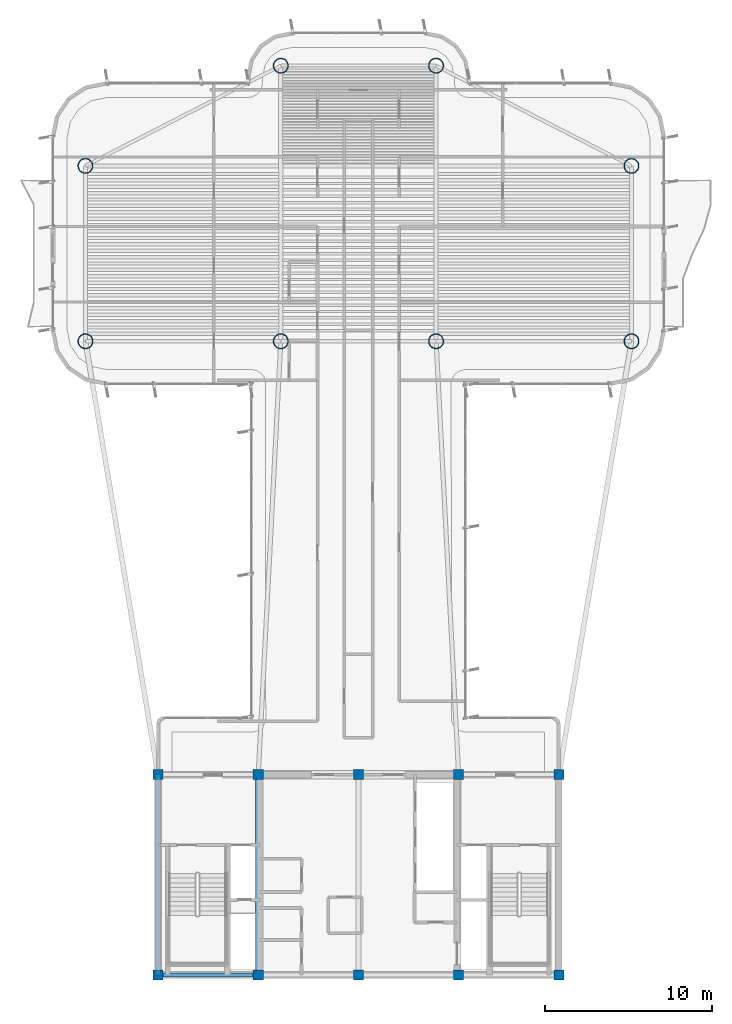
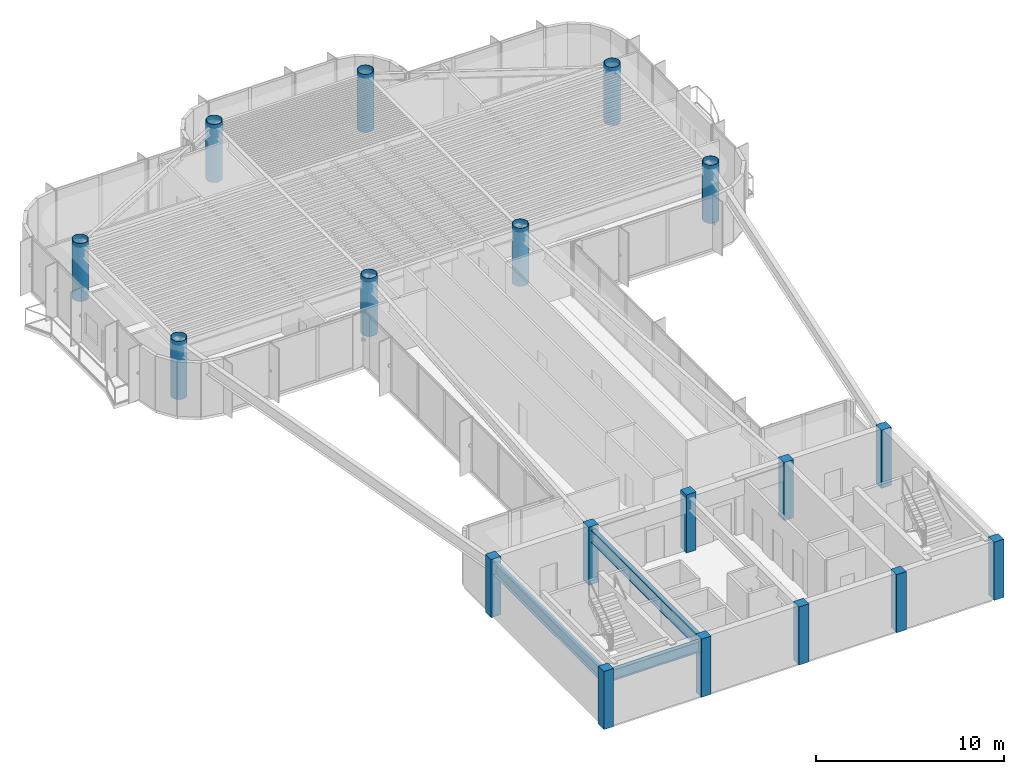
# One storey, part 1 of 15: 18 columns, 3 beams.
"""IFC4 building model written with IfcOpenShell, lengths in metres."""

import ifcopenshell
import ifcopenshell.guid

model = None  # the IFC model being written
_history = None  # IfcOwnerHistory: only IFC2X3 demands one
_inside = {}  # id of a spatial element -> (the spatial element, [elements in it])
_under = {}  # id of a project, library or spatial element -> (it, [spatial elements below it])
_declared = {}  # id of a project -> (the project, [libraries it declares])
_typed = {}  # id of a type object -> (the type object, [elements of that type])
_made_of = {}  # id of a material, layer set ... -> (it, [elements and type objects made of it])


def new_model(schema):
    """Start an empty IFC model of exactly this schema.

    Asked for "IFC4X3", IfcOpenShell would pick the latest addendum, in which some entities
    have other attributes; the version numbers below select the first issue.
    IFC2X3 requires an IfcOwnerHistory on every rooted entity: one is made here for all.
    """
    global model, _history
    if schema == "IFC4X3":
        model = ifcopenshell.file(schema_version=(4, 3, 0, 0))
    else:
        model = ifcopenshell.file(schema=schema)
    _inside.clear()
    _under.clear()
    _declared.clear()
    _typed.clear()
    _made_of.clear()
    _history = None
    if model.schema == "IFC2X3":
        org = make("IfcOrganization", Name="unknown")
        user = make(
            "IfcPersonAndOrganization",
            ThePerson=make("IfcPerson", FamilyName="unknown"),
            TheOrganization=org,
        )
        app = make(
            "IfcApplication",
            ApplicationDeveloper=org,
            Version="unknown",
            ApplicationFullName="unknown",
            ApplicationIdentifier="unknown",
        )
        _history = make(
            "IfcOwnerHistory",
            OwningUser=user,
            OwningApplication=app,
            ChangeAction="ADDED",
            CreationDate=0,
        )
    return model


def make(cls, **values):
    """One entity of the class cls with the attributes given. An attribute that is None is left unset."""
    return model.create_entity(
        cls, **{name: value for name, value in values.items() if value is not None}
    )


def rooted(cls, **values):
    """An entity with a GlobalId (a new one), such as an element, a storey or a relation."""
    return make(cls, GlobalId=ifcopenshell.guid.new(), OwnerHistory=_history, **values)


def si_unit(unit_type, name, prefix=None):
    """IfcSIUnit, for example si_unit("LENGTHUNIT", "METRE", prefix="MILLI")."""
    return make("IfcSIUnit", UnitType=unit_type, Prefix=prefix, Name=name)


def assignment(units):
    """IfcUnitAssignment: the units of a project."""
    return None if units is None else make("IfcUnitAssignment", Units=units)


def point(xyz):
    """IfcCartesianPoint."""
    return None if xyz is None else make("IfcCartesianPoint", Coordinates=xyz)


def direction(xyz):
    """IfcDirection."""
    return None if xyz is None else make("IfcDirection", DirectionRatios=xyz)


def frame(location, z_axis=None, x_axis=None):
    """IfcAxis2Placement3D, a coordinate frame: its origin and axes. An axis left out is left unset."""
    return make(
        "IfcAxis2Placement3D",
        Location=point(location),
        Axis=direction(z_axis),
        RefDirection=direction(x_axis),
    )


def frame_2d(location, x_axis=None):
    """IfcAxis2Placement2D, a coordinate frame in the plane: its origin and x axis."""
    return make(
        "IfcAxis2Placement2D", Location=point(location), RefDirection=direction(x_axis)
    )


def origin():
    """The frame at (0, 0, 0) with its axes left unset."""
    return frame((0.0, 0.0, 0.0))


def origin_2d():
    """The frame at (0, 0) in the plane with its x axis left unset."""
    return frame_2d((0.0, 0.0))


def place(relative_to, where):
    """IfcLocalPlacement: puts the frame where relative to a parent placement (None: the world)."""
    return make(
        "IfcLocalPlacement", PlacementRelTo=relative_to, RelativePlacement=where
    )


def context(
    kind, dimensions, precision=None, world=None, true_north=None, identifier=None
):
    """IfcGeometricRepresentationContext, for example the 3D "Model" context."""
    return make(
        "IfcGeometricRepresentationContext",
        ContextIdentifier=identifier,
        ContextType=kind,
        CoordinateSpaceDimension=dimensions,
        Precision=precision,
        WorldCoordinateSystem=world,
        TrueNorth=true_north,
    )


def subcontext(parent, identifier, kind, view, scale=None):
    """IfcGeometricRepresentationSubContext, for example "Body" below "Model"."""
    return make(
        "IfcGeometricRepresentationSubContext",
        ContextIdentifier=identifier,
        ContextType=kind,
        ParentContext=parent,
        TargetScale=scale,
        TargetView=view,
    )


def project(units=None, contexts=None):
    """IfcProject with its units and contexts."""
    return rooted(
        "IfcProject",
        Name="project",
        RepresentationContexts=contexts,
        UnitsInContext=assignment(units),
    )


def spatial(cls, under=None, at=None, **own):
    """A site, building, storey or space (cls), placed at a placement, below another one or the project."""
    s = rooted(cls, ObjectPlacement=at, **own)
    if under is not None:
        _under.setdefault(under.id(), (under, []))[1].append(s)
    return s


def profile(cls, at=None, kind="AREA", **sizes):
    """A parametric profile (cls). Its sizes go by their IFC names, for example OverallWidth=200.0."""
    return make(cls, ProfileType=kind, Position=at, **sizes)


def rectangle(**sizes):
    """IfcRectangleProfileDef."""
    return profile("IfcRectangleProfileDef", **sizes)


def hollow_circle(**sizes):
    """IfcCircleHollowProfileDef."""
    return profile("IfcCircleHollowProfileDef", **sizes)


def i_section(**sizes):
    """IfcIShapeProfileDef."""
    return profile("IfcIShapeProfileDef", **sizes)


def extrude(swept, where, along, depth):
    """IfcExtrudedAreaSolid: the profile swept, set in the frame where, extruded along a direction by depth."""
    return make(
        "IfcExtrudedAreaSolid",
        SweptArea=swept,
        Position=where,
        ExtrudedDirection=direction(along),
        Depth=depth,
    )


def shape(context_of_items, identifier, shape_type, items):
    """IfcShapeRepresentation: the items that make up one representation, for example the "Body"."""
    return make(
        "IfcShapeRepresentation",
        ContextOfItems=context_of_items,
        RepresentationIdentifier=identifier,
        RepresentationType=shape_type,
        Items=items,
    )


def source(mapping_origin, context_of_items, identifier, shape_type, items):
    """IfcRepresentationMap: a shape defined once, which mapped items show again and again."""
    return make(
        "IfcRepresentationMap",
        MappingOrigin=mapping_origin,
        MappedRepresentation=shape(context_of_items, identifier, shape_type, items),
    )


def transform(
    local_origin,
    x_axis=None,
    y_axis=None,
    z_axis=None,
    scale=None,
    scale2=None,
    scale3=None,
    uniform=True,
):
    """IfcCartesianTransformationOperator3D, or its non-uniform kind. x_axis, y_axis, z_axis: its Axis1, 2, 3."""
    if uniform:
        return make(
            "IfcCartesianTransformationOperator3D",
            Axis1=direction(x_axis),
            Axis2=direction(y_axis),
            LocalOrigin=point(local_origin),
            Scale=scale,
            Axis3=direction(z_axis),
        )
    return make(
        "IfcCartesianTransformationOperator3DnonUniform",
        Axis1=direction(x_axis),
        Axis2=direction(y_axis),
        LocalOrigin=point(local_origin),
        Scale=scale,
        Axis3=direction(z_axis),
        Scale2=scale2,
        Scale3=scale3,
    )


def mapped(mapping_source, mapping_target):
    """IfcMappedItem: shows the shape of a source again, moved by a transform."""
    return make(
        "IfcMappedItem", MappingSource=mapping_source, MappingTarget=mapping_target
    )


def material(Name=None, Category=None):
    """IfcMaterial."""
    return make("IfcMaterial", Name=Name, Category=Category)


def material_profile(
    of_material, cross_section, Name=None, Category=None, Priority=None
):
    """IfcMaterialProfile: a cross section and its material."""
    return make(
        "IfcMaterialProfile",
        Name=Name,
        Material=of_material,
        Profile=cross_section,
        Priority=Priority,
        Category=Category,
    )


def profile_set(profiles, Name=None, composite=None):
    """IfcMaterialProfileSet."""
    return make(
        "IfcMaterialProfileSet",
        Name=Name,
        MaterialProfiles=profiles,
        CompositeProfile=composite,
    )


def made_of(thing, what):
    """Note that an element or type object is made of a material, layer set ...; save() writes the relation."""
    if what is not None:
        _made_of.setdefault(what.id(), (what, []))[1].append(thing)
    return thing


def type_object(cls, material=None, **own):
    """A type object (cls), such as IfcWallType, which elements share."""
    return made_of(rooted(cls, **own), material)


def element(
    cls,
    number,
    at=None,
    inside=None,
    cuts=None,
    type_object=None,
    material=None,
    context=None,
    identifier="Body",
    shape_type=None,
    held_by="IfcProductDefinitionShape",
    body=None,
    shapes=None,
    **own,
):
    """One element of the class cls, such as IfcWall. Its Tag is "e" and its number.

    at: its placement. inside: the storey or other place that contains it. cuts: it is an
    opening in that element (IfcRelVoidsElement). A single representation is given by context,
    identifier, shape_type and body (its items); several are given by shapes. held_by: the class
    of the entity that holds the representations. save() writes the other relations.
    """
    e = rooted(cls, Tag="e%d" % number, ObjectPlacement=at, **own)
    if body is not None:
        shapes = [shape(context, identifier, shape_type, body)]
    if shapes is not None:
        e.Representation = make(held_by, Representations=shapes)
    if inside is not None:
        _inside.setdefault(inside.id(), (inside, []))[1].append(e)
    if cuts is not None:
        rooted(
            "IfcRelVoidsElement", RelatingBuildingElement=cuts, RelatedOpeningElement=e
        )
    if type_object is not None:
        _typed.setdefault(type_object.id(), (type_object, []))[1].append(e)
    return made_of(e, material)


def aggregate(whole, parts):
    """IfcRelAggregates: a whole, such as a stair, and the parts it consists of."""
    return rooted("IfcRelAggregates", RelatingObject=whole, RelatedObjects=parts)


def save(model, path):
    """Write the relations noted so far, then the file.

    IfcRelAggregates (storeys below a building ...), IfcRelContainedInSpatialStructure (elements
    in a storey), IfcRelDefinesByType, IfcRelAssociatesMaterial and IfcRelDeclares: one each for
    every whole, place, type object, material and project.
    """
    for whole, parts in _under.values():
        aggregate(whole, parts)
    for where, things in _inside.values():
        rooted(
            "IfcRelContainedInSpatialStructure",
            RelatedElements=things,
            RelatingStructure=where,
        )
    for kind, things in _typed.values():
        rooted("IfcRelDefinesByType", RelatedObjects=things, RelatingType=kind)
    for what, things in _made_of.values():
        rooted("IfcRelAssociatesMaterial", RelatedObjects=things, RelatingMaterial=what)
    for by, libraries in _declared.values():
        rooted("IfcRelDeclares", RelatingContext=by, RelatedDefinitions=libraries)
    model.write(path)


model = new_model("IFC4")

# Units and contexts
model_context = context("Model", 3, precision=1e-05, world=origin(), true_north=direction((0.0, 1.0)))
body_context = subcontext(model_context, "Body", "Model", "MODEL_VIEW")
ifc_project = project(units=[si_unit("LENGTHUNIT", "METRE"), si_unit("AREAUNIT", "SQUARE_METRE"), si_unit("VOLUMEUNIT", "CUBIC_METRE"), si_unit("PLANEANGLEUNIT", "RADIAN"), si_unit("MASSUNIT", "GRAM", prefix="KILO")], contexts=[model_context])

# Site, building, storey
site_placement = place(None, origin())
site = spatial("IfcSite", under=ifc_project, at=site_placement, CompositionType="ELEMENT")
building_placement = place(site_placement, origin())
building = spatial("IfcBuilding", under=site, at=building_placement, Name="Brelvock Crest Care Tower", CompositionType="ELEMENT")
storey_placement = place(building_placement, frame((0.0, 0.0, 264.60009765625)))
storey = spatial("IfcBuildingStorey", under=building, at=storey_placement, Name="L67", CompositionType="ELEMENT", Elevation=264.60009765625)

# Columns
ifc_material_1 = material(Name="Concrete S65 (65 MPa)", Category="concrete")
ifc_material_profile_1 = material_profile(ifc_material_1, rectangle(XDim=0.60009765625, YDim=0.60009765625, at=origin_2d()), Name="RC600x600")
ifc_profile_set_1 = profile_set([ifc_material_profile_1], Name="Concrete S65 (65 MPa)")
column_type_1 = type_object("IfcColumnType", Name="COL-RC4", PredefinedType="COLUMN", material=ifc_profile_set_1)
shared_shape_1 = source(origin(), body_context, "Body", "SweptSolid", [
    extrude(rectangle(XDim=0.60009765625, YDim=0.60009765625, at=origin_2d()), origin(), (0.0, 0.0, 1.0), 3.77978515625),
])
for number, where, z_axis, x_axis, name in (
    (1, (24.0, 6.0, 0.0), (0.0, 0.0, 1.0), (1.0, 0.0, 0.0), "L67 Core Column CC-01"),
    (2, (30.0, 6.0, 0.0), (0.0, 0.0, 1.0), (1.0, 0.0, 0.0), "L67 Core Column CC-02"),
    (3, (36.0, 6.0, 0.0), (0.0, 0.0, 1.0), (1.0, 0.0, 0.0), "L67 Core Column CC-03"),
    (4, (42.0, 6.0, 0.0), (0.0, 0.0, 1.0), (1.0, 0.0, 0.0), "L67 Core Column CC-04"),
    (5, (48.0, 6.0, 0.0), (0.0, 0.0, 1.0), (1.0, 0.0, 0.0), "L67 Core Column CC-05"),
    (6, (24.0, 18.0, 0.0), (0.0, 0.0, 1.0), (1.0, 0.0, 0.0), "L67 Core Column CC-06"),
    (7, (30.0, 18.0, 0.0), (0.0, 0.0, 1.0), (1.0, 0.0, 0.0), "L67 Core Column CC-07"),
    (8, (36.0, 18.0, 0.0), (0.0, 0.0, 1.0), (1.0, 0.0, 0.0), "L67 Core Column CC-08"),
    (9, (42.0, 18.0, 0.0), (0.0, 0.0, 1.0), (1.0, 0.0, 0.0), "L67 Core Column CC-09"),
    (10, (48.0, 18.0, 0.0), (0.0, 0.0, 1.0), (1.0, 0.0, 0.0), "L67 Core Column CC-10"),
):
    element("IfcColumn", number, at=place(storey_placement, frame(where, z_axis=z_axis, x_axis=x_axis)), inside=storey, type_object=column_type_1, Name=name, PredefinedType="COLUMN", context=body_context, shape_type="MappedRepresentation", body=[
        mapped(shared_shape_1, transform((0.0, 0.0, 0.0), x_axis=(1.0, 0.0, 0.0), y_axis=(0.0, 1.0, 0.0), z_axis=(0.0, 0.0, 1.0), scale=1.0)),
    ])
ifc_material_2 = material(Name="Steel Grade 350", Category="steel")
ifc_material_profile_2 = material_profile(ifc_material_2, hollow_circle(Radius=0.449951171875, WallThickness=0.031982421875, at=origin_2d()), Name="CFT900x32")
ifc_profile_set_2 = profile_set([ifc_material_profile_2], Name="Steel Grade 350")
column_type_2 = type_object("IfcColumnType", Name="COL-MC4", PredefinedType="COLUMN", material=ifc_profile_set_2)
shared_shape_2 = source(origin(), body_context, "Body", "SweptSolid", [
    extrude(hollow_circle(Radius=0.449951171875, WallThickness=0.031982421875, at=origin_2d()), origin(), (0.0, 0.0, 1.0), 3.77978515625),
])
for number, where, z_axis, x_axis, name in (
    (11, (19.64990234375, 43.949951171875, 0.0), (0.0, 0.0, 1.0), (1.0, 0.0, 0.0), "L67 Tower Column M1"),
    (12, (19.64990234375, 54.449951171875, 0.0), (0.0, 0.0, 1.0), (1.0, 0.0, 0.0), "L67 Tower Column M2"),
    (13, (52.35009765625, 43.949951171875, 0.0), (0.0, 0.0, 1.0), (1.0, 0.0, 0.0), "L67 Tower Column M3"),
    (14, (52.35009765625, 54.449951171875, 0.0), (0.0, 0.0, 1.0), (1.0, 0.0, 0.0), "L67 Tower Column M4"),
    (15, (31.35009765625, 43.949951171875, 0.0), (0.0, 0.0, 1.0), (1.0, 0.0, 0.0), "L67 Tower Column M5"),
    (16, (40.64990234375, 43.949951171875, 0.0), (0.0, 0.0, 1.0), (1.0, 0.0, 0.0), "L67 Tower Column M6"),
    (17, (31.35009765625, 60.449951171875, 0.0), (0.0, 0.0, 1.0), (1.0, 0.0, 0.0), "L67 Tower Column M7"),
    (18, (40.64990234375, 60.449951171875, 0.0), (0.0, 0.0, 1.0), (1.0, 0.0, 0.0), "L67 Tower Column M8"),
):
    element("IfcColumn", number, at=place(storey_placement, frame(where, z_axis=z_axis, x_axis=x_axis)), inside=storey, type_object=column_type_2, Name=name, PredefinedType="COLUMN", context=body_context, shape_type="MappedRepresentation", body=[
        mapped(shared_shape_2, transform((0.0, 0.0, 0.0), x_axis=(1.0, 0.0, 0.0), y_axis=(0.0, 1.0, 0.0), z_axis=(0.0, 0.0, 1.0), scale=1.0)),
    ])

# Beams
ifc_material_profile_3 = material_profile(ifc_material_2, i_section(OverallWidth=0.25, OverallDepth=0.699951171875, WebThickness=0.011962890625, FlangeThickness=0.02001953125, at=origin_2d()), Name="700WB150")
ifc_profile_set_3 = profile_set([ifc_material_profile_3], Name="Steel Grade 350")
beam_type_1 = type_object("IfcBeamType", Name="BM-G4", PredefinedType="BEAM", material=ifc_profile_set_3)
shared_shape_3 = source(origin(), body_context, "Body", "SweptSolid", [
    extrude(i_section(OverallWidth=0.25, OverallDepth=0.699951171875, WebThickness=0.011962890625, FlangeThickness=0.02001953125, at=origin_2d()), origin(), (0.0, 0.0, 1.0), 6.0),
])
beam_placement = place(storey_placement, frame((24.0, 6.0, 3.179931640625), z_axis=(1.0, 0.0, 0.0), x_axis=(0.0, 1.0, 0.0)))
element("IfcBeam", 19, at=beam_placement, inside=storey, type_object=beam_type_1, Name="BM-CORES-L67-1", PredefinedType="BEAM", context=body_context, shape_type="MappedRepresentation", body=[
    mapped(shared_shape_3, transform((0.0, 0.0, 0.0), x_axis=(1.0, 0.0, 0.0), y_axis=(0.0, 1.0, 0.0), z_axis=(0.0, 0.0, 1.0), scale=1.0)),
])
ifc_material_profile_4 = material_profile(ifc_material_2, i_section(OverallWidth=0.300048828125, OverallDepth=0.800048828125, WebThickness=0.013916015625, FlangeThickness=0.02197265625, at=origin_2d()), Name="800WB192")
ifc_profile_set_4 = profile_set([ifc_material_profile_4], Name="Steel Grade 350")
beam_type_2 = type_object("IfcBeamType", Name="BM-G5", PredefinedType="BEAM", material=ifc_profile_set_4)
shared_shape_4 = source(origin(), body_context, "Body", "SweptSolid", [
    extrude(i_section(OverallWidth=0.300048828125, OverallDepth=0.800048828125, WebThickness=0.013916015625, FlangeThickness=0.02197265625, at=origin_2d()), origin(), (0.0, 0.0, 1.0), 12.0),
])
for number, where, z_axis, x_axis, name in (
    (20, (24.0, 6.0, 3.1298828125), (0.0, 1.0, 0.0), (-1.0, 0.0, 0.0), "BM-COREX-L67-1"),
    (21, (30.0, 6.0, 3.1298828125), (0.0, 1.0, 0.0), (-1.0, 0.0, 0.0), "BM-COREX-L67-2"),
):
    element("IfcBeam", number, at=place(storey_placement, frame(where, z_axis=z_axis, x_axis=x_axis)), inside=storey, type_object=beam_type_2, Name=name, PredefinedType="BEAM", context=body_context, shape_type="MappedRepresentation", body=[
        mapped(shared_shape_4, transform((0.0, 0.0, 0.0), x_axis=(1.0, 0.0, 0.0), y_axis=(0.0, 1.0, 0.0), z_axis=(0.0, 0.0, 1.0), scale=1.0)),
    ])

save(model, "model.ifc")
